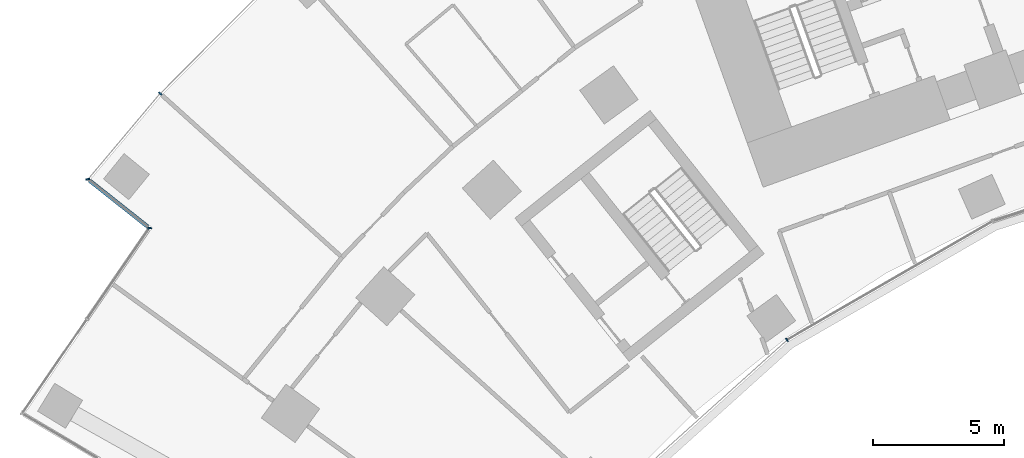
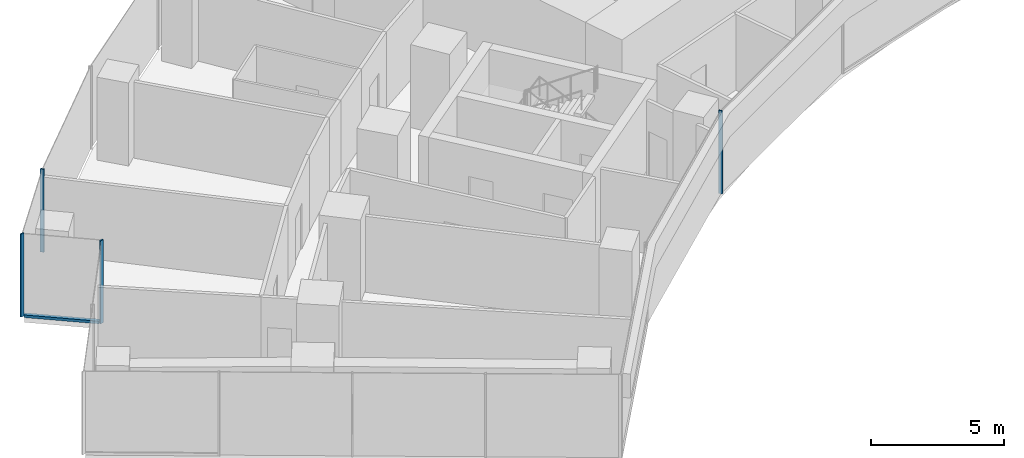
# One storey, part 3 of 21: 5 members, 4 elements without a shape of their own.
"""IFC4 building model written with IfcOpenShell, lengths in metres."""

import ifcopenshell
import ifcopenshell.guid

model = None  # the IFC model being written
_history = None  # IfcOwnerHistory: only IFC2X3 demands one
_inside = {}  # id of a spatial element -> (the spatial element, [elements in it])
_under = {}  # id of a project, library or spatial element -> (it, [spatial elements below it])
_declared = {}  # id of a project -> (the project, [libraries it declares])
_typed = {}  # id of a type object -> (the type object, [elements of that type])
_made_of = {}  # id of a material, layer set ... -> (it, [elements and type objects made of it])


def new_model(schema):
    """Start an empty IFC model of exactly this schema.

    Asked for "IFC4X3", IfcOpenShell would pick the latest addendum, in which some entities
    have other attributes; the version numbers below select the first issue.
    IFC2X3 requires an IfcOwnerHistory on every rooted entity: one is made here for all.
    """
    global model, _history
    if schema == "IFC4X3":
        model = ifcopenshell.file(schema_version=(4, 3, 0, 0))
    else:
        model = ifcopenshell.file(schema=schema)
    _inside.clear()
    _under.clear()
    _declared.clear()
    _typed.clear()
    _made_of.clear()
    _history = None
    if model.schema == "IFC2X3":
        org = make("IfcOrganization", Name="unknown")
        user = make(
            "IfcPersonAndOrganization",
            ThePerson=make("IfcPerson", FamilyName="unknown"),
            TheOrganization=org,
        )
        app = make(
            "IfcApplication",
            ApplicationDeveloper=org,
            Version="unknown",
            ApplicationFullName="unknown",
            ApplicationIdentifier="unknown",
        )
        _history = make(
            "IfcOwnerHistory",
            OwningUser=user,
            OwningApplication=app,
            ChangeAction="ADDED",
            CreationDate=0,
        )
    return model


def make(cls, **values):
    """One entity of the class cls with the attributes given. An attribute that is None is left unset."""
    return model.create_entity(
        cls, **{name: value for name, value in values.items() if value is not None}
    )


def rooted(cls, **values):
    """An entity with a GlobalId (a new one), such as an element, a storey or a relation."""
    return make(cls, GlobalId=ifcopenshell.guid.new(), OwnerHistory=_history, **values)


def si_unit(unit_type, name, prefix=None):
    """IfcSIUnit, for example si_unit("LENGTHUNIT", "METRE", prefix="MILLI")."""
    return make("IfcSIUnit", UnitType=unit_type, Prefix=prefix, Name=name)


def assignment(units):
    """IfcUnitAssignment: the units of a project."""
    return None if units is None else make("IfcUnitAssignment", Units=units)


def point(xyz):
    """IfcCartesianPoint."""
    return None if xyz is None else make("IfcCartesianPoint", Coordinates=xyz)


def direction(xyz):
    """IfcDirection."""
    return None if xyz is None else make("IfcDirection", DirectionRatios=xyz)


def frame(location, z_axis=None, x_axis=None):
    """IfcAxis2Placement3D, a coordinate frame: its origin and axes. An axis left out is left unset."""
    return make(
        "IfcAxis2Placement3D",
        Location=point(location),
        Axis=direction(z_axis),
        RefDirection=direction(x_axis),
    )


def frame_2d(location, x_axis=None):
    """IfcAxis2Placement2D, a coordinate frame in the plane: its origin and x axis."""
    return make(
        "IfcAxis2Placement2D", Location=point(location), RefDirection=direction(x_axis)
    )


def origin():
    """The frame at (0, 0, 0) with its axes left unset."""
    return frame((0.0, 0.0, 0.0))


def origin_2d():
    """The frame at (0, 0) in the plane with its x axis left unset."""
    return frame_2d((0.0, 0.0))


def place(relative_to, where):
    """IfcLocalPlacement: puts the frame where relative to a parent placement (None: the world)."""
    return make(
        "IfcLocalPlacement", PlacementRelTo=relative_to, RelativePlacement=where
    )


def context(
    kind, dimensions, precision=None, world=None, true_north=None, identifier=None
):
    """IfcGeometricRepresentationContext, for example the 3D "Model" context."""
    return make(
        "IfcGeometricRepresentationContext",
        ContextIdentifier=identifier,
        ContextType=kind,
        CoordinateSpaceDimension=dimensions,
        Precision=precision,
        WorldCoordinateSystem=world,
        TrueNorth=true_north,
    )


def subcontext(parent, identifier, kind, view, scale=None):
    """IfcGeometricRepresentationSubContext, for example "Body" below "Model"."""
    return make(
        "IfcGeometricRepresentationSubContext",
        ContextIdentifier=identifier,
        ContextType=kind,
        ParentContext=parent,
        TargetScale=scale,
        TargetView=view,
    )


def project(units=None, contexts=None):
    """IfcProject with its units and contexts."""
    return rooted(
        "IfcProject",
        Name="project",
        RepresentationContexts=contexts,
        UnitsInContext=assignment(units),
    )


def spatial(cls, under=None, at=None, **own):
    """A site, building, storey or space (cls), placed at a placement, below another one or the project."""
    s = rooted(cls, ObjectPlacement=at, **own)
    if under is not None:
        _under.setdefault(under.id(), (under, []))[1].append(s)
    return s


def profile(cls, at=None, kind="AREA", **sizes):
    """A parametric profile (cls). Its sizes go by their IFC names, for example OverallWidth=200.0."""
    return make(cls, ProfileType=kind, Position=at, **sizes)


def rectangle(**sizes):
    """IfcRectangleProfileDef."""
    return profile("IfcRectangleProfileDef", **sizes)


def extrude(swept, where, along, depth):
    """IfcExtrudedAreaSolid: the profile swept, set in the frame where, extruded along a direction by depth."""
    return make(
        "IfcExtrudedAreaSolid",
        SweptArea=swept,
        Position=where,
        ExtrudedDirection=direction(along),
        Depth=depth,
    )


def shape(context_of_items, identifier, shape_type, items):
    """IfcShapeRepresentation: the items that make up one representation, for example the "Body"."""
    return make(
        "IfcShapeRepresentation",
        ContextOfItems=context_of_items,
        RepresentationIdentifier=identifier,
        RepresentationType=shape_type,
        Items=items,
    )


def material(Name=None, Category=None):
    """IfcMaterial."""
    return make("IfcMaterial", Name=Name, Category=Category)


def layer(
    of_material, thickness, ventilated=None, Name=None, Category=None, Priority=None
):
    """IfcMaterialLayer: one layer of a wall or slab, of a material (None: an air gap)."""
    return make(
        "IfcMaterialLayer",
        Material=of_material,
        LayerThickness=thickness,
        IsVentilated=ventilated,
        Name=Name,
        Category=Category,
        Priority=Priority,
    )


def layer_set(layers, Name=None):
    """IfcMaterialLayerSet."""
    return make("IfcMaterialLayerSet", MaterialLayers=layers, LayerSetName=Name)


def material_profile(
    of_material, cross_section, Name=None, Category=None, Priority=None
):
    """IfcMaterialProfile: a cross section and its material."""
    return make(
        "IfcMaterialProfile",
        Name=Name,
        Material=of_material,
        Profile=cross_section,
        Priority=Priority,
        Category=Category,
    )


def profile_set(profiles, Name=None, composite=None):
    """IfcMaterialProfileSet."""
    return make(
        "IfcMaterialProfileSet",
        Name=Name,
        MaterialProfiles=profiles,
        CompositeProfile=composite,
    )


def made_of(thing, what):
    """Note that an element or type object is made of a material, layer set ...; save() writes the relation."""
    if what is not None:
        _made_of.setdefault(what.id(), (what, []))[1].append(thing)
    return thing


def type_object(cls, material=None, **own):
    """A type object (cls), such as IfcWallType, which elements share."""
    return made_of(rooted(cls, **own), material)


def element(
    cls,
    number,
    at=None,
    inside=None,
    cuts=None,
    type_object=None,
    material=None,
    context=None,
    identifier="Body",
    shape_type=None,
    held_by="IfcProductDefinitionShape",
    body=None,
    shapes=None,
    **own,
):
    """One element of the class cls, such as IfcWall. Its Tag is "e" and its number.

    at: its placement. inside: the storey or other place that contains it. cuts: it is an
    opening in that element (IfcRelVoidsElement). A single representation is given by context,
    identifier, shape_type and body (its items); several are given by shapes. held_by: the class
    of the entity that holds the representations. save() writes the other relations.
    """
    e = rooted(cls, Tag="e%d" % number, ObjectPlacement=at, **own)
    if body is not None:
        shapes = [shape(context, identifier, shape_type, body)]
    if shapes is not None:
        e.Representation = make(held_by, Representations=shapes)
    if inside is not None:
        _inside.setdefault(inside.id(), (inside, []))[1].append(e)
    if cuts is not None:
        rooted(
            "IfcRelVoidsElement", RelatingBuildingElement=cuts, RelatedOpeningElement=e
        )
    if type_object is not None:
        _typed.setdefault(type_object.id(), (type_object, []))[1].append(e)
    return made_of(e, material)


def aggregate(whole, parts):
    """IfcRelAggregates: a whole, such as a stair, and the parts it consists of."""
    return rooted("IfcRelAggregates", RelatingObject=whole, RelatedObjects=parts)


def save(model, path):
    """Write the relations noted so far, then the file.

    IfcRelAggregates (storeys below a building ...), IfcRelContainedInSpatialStructure (elements
    in a storey), IfcRelDefinesByType, IfcRelAssociatesMaterial and IfcRelDeclares: one each for
    every whole, place, type object, material and project.
    """
    for whole, parts in _under.values():
        aggregate(whole, parts)
    for where, things in _inside.values():
        rooted(
            "IfcRelContainedInSpatialStructure",
            RelatedElements=things,
            RelatingStructure=where,
        )
    for kind, things in _typed.values():
        rooted("IfcRelDefinesByType", RelatedObjects=things, RelatingType=kind)
    for what, things in _made_of.values():
        rooted("IfcRelAssociatesMaterial", RelatedObjects=things, RelatingMaterial=what)
    for by, libraries in _declared.values():
        rooted("IfcRelDeclares", RelatingContext=by, RelatedDefinitions=libraries)
    model.write(path)


model = new_model("IFC4")

# Units and contexts
model_context = context("Model", 3, precision=1e-05, world=origin(), true_north=direction((0.0, 1.0)))
body_context = subcontext(model_context, "Body", "Model", "MODEL_VIEW")
ifc_project = project(units=[si_unit("LENGTHUNIT", "METRE"), si_unit("AREAUNIT", "SQUARE_METRE"), si_unit("VOLUMEUNIT", "CUBIC_METRE"), si_unit("PLANEANGLEUNIT", "RADIAN"), si_unit("MASSUNIT", "GRAM", prefix="KILO")], contexts=[model_context])

# Site, building, storey
site_placement = place(None, origin())
site = spatial("IfcSite", under=ifc_project, at=site_placement, CompositionType="ELEMENT")
building_placement = place(site_placement, origin())
building = spatial("IfcBuilding", under=site, at=building_placement, Name="Stone Belt Terrace Tower", CompositionType="ELEMENT")
storey_placement = place(building_placement, frame((0.0, 0.0, 56.60009765625)))
storey = spatial("IfcBuildingStorey", under=building, at=storey_placement, Name="L13", CompositionType="ELEMENT", Elevation=56.60009765625)

# Curtain wall, member
ifc_material = material(Name="Aluminium 6063-T6 anodised frame", Category="aluminium")
ifc_layer_1 = layer(ifc_material, 0.14990234375)
ifc_layer_set_1 = layer_set([ifc_layer_1], Name="CW-A unitised convex-face curtain wall")
curtain_wall_type_1 = type_object("IfcCurtainWallType", Name="CW-A unitised convex-face curtain wall", PredefinedType="NOTDEFINED", material=ifc_layer_set_1)
curtain_wall_1_placement = place(storey_placement, origin())
curtain_wall_1 = element("IfcCurtainWall", 1, at=curtain_wall_1_placement, inside=storey, type_object=curtain_wall_type_1, Name="CW-A convex face L13", PredefinedType="NOTDEFINED")
ifc_material_profile_1 = material_profile(ifc_material, rectangle(XDim=0.14990234375, YDim=0.06005859375, at=origin_2d()), Name="Aluminium 6063-T6 60x150")
ifc_profile_set_1 = profile_set([ifc_material_profile_1], Name="Aluminium 6063-T6 anodised frame")
member_type_1 = type_object("IfcMemberType", Name="CW-A mullion 60 x 150", PredefinedType="MULLION", material=ifc_profile_set_1)
member_1_placement = place(storey_placement, frame((-49.474365234375, 44.548095703125, 0.0), z_axis=(0.0, 0.0, 1.0), x_axis=(0.73617076011, -0.676795842155, 0.0)))
member_1 = element("IfcMember", 2, at=member_1_placement, type_object=member_type_1, Name="CW-A mullion 17", PredefinedType="MULLION", context=body_context, shape_type="SweptSolid", body=[
    extrude(rectangle(XDim=0.14990234375, YDim=0.06005859375, at=origin_2d()), origin(), (0.0, 0.0, 1.0), 3.7998046875),
])
aggregate(curtain_wall_1, [member_1])

ifc_layer_2 = layer(ifc_material, 0.14990234375)
ifc_layer_set_2 = layer_set([ifc_layer_2], Name="CW-B unitised concave-face curtain wall")
curtain_wall_type_2 = type_object("IfcCurtainWallType", Name="CW-B unitised concave-face curtain wall", PredefinedType="NOTDEFINED", material=ifc_layer_set_2)
curtain_wall_2_placement = place(storey_placement, origin())
curtain_wall_2 = element("IfcCurtainWall", 3, at=curtain_wall_2_placement, inside=storey, type_object=curtain_wall_type_2, Name="CW-B concave face L13", PredefinedType="NOTDEFINED")
ifc_material_profile_2 = material_profile(ifc_material, rectangle(XDim=0.14990234375, YDim=0.050048828125, at=origin_2d()), Name="Aluminium 6063-T6 50x150")
ifc_profile_set_2 = profile_set([ifc_material_profile_2], Name="Aluminium 6063-T6 anodised frame")
member_type_2 = type_object("IfcMemberType", Name="CW-B mullion 50 x 150", PredefinedType="MULLION", material=ifc_profile_set_2)
member_2_placement = place(storey_placement, frame((-25.5244140625, 35.13134765625, 0.0), z_axis=(0.0, 0.0, 1.0), x_axis=(-0.587785252292, 0.809016994375, 0.0)))
member_2 = element("IfcMember", 4, at=member_2_placement, type_object=member_type_2, Name="CW-B mullion 3", PredefinedType="MULLION", context=body_context, shape_type="SweptSolid", body=[
    extrude(rectangle(XDim=0.14990234375, YDim=0.050048828125, at=origin_2d()), origin(), (0.0, 0.0, 1.0), 3.7998046875),
])
aggregate(curtain_wall_2, [member_2])

ifc_layer_3 = layer(ifc_material, 0.14990234375)
ifc_layer_set_3 = layer_set([ifc_layer_3], Name="CW-C stick curtain wall, horn ends and notches")
curtain_wall_type_3 = type_object("IfcCurtainWallType", Name="CW-C stick curtain wall, horn ends and notches", PredefinedType="NOTDEFINED", material=ifc_layer_set_3)
curtain_wall_3_placement = place(storey_placement, origin())
curtain_wall_3 = element("IfcCurtainWall", 5, at=curtain_wall_3_placement, inside=storey, type_object=curtain_wall_type_3, Name="CW-C notch face L13", PredefinedType="NOTDEFINED")
ifc_material_profile_3 = material_profile(ifc_material, rectangle(XDim=0.14990234375, YDim=0.06005859375, at=origin_2d()), Name="Aluminium 6063-T6 60x150")
ifc_profile_set_3 = profile_set([ifc_material_profile_3], Name="Aluminium 6063-T6 anodised frame")
member_type_3 = type_object("IfcMemberType", Name="CW-C mullion 60 x 150", PredefinedType="MULLION", material=ifc_profile_set_3)
member_3_placement = place(storey_placement, frame((-52.24072265625, 41.27294921875, 0.0), z_axis=(0.0, 0.0, 1.0), x_axis=(0.995023084308, 0.099644677203, 0.0)))
member_3 = element("IfcMember", 6, at=member_3_placement, type_object=member_type_3, Name="CW-C mullion 1", PredefinedType="MULLION", context=body_context, shape_type="SweptSolid", body=[
    extrude(rectangle(XDim=0.14990234375, YDim=0.06005859375, at=origin_2d()), origin(), (0.0, 0.0, 1.0), 3.7998046875),
])

curtain_wall_4_placement = place(storey_placement, origin())
curtain_wall_4 = element("IfcCurtainWall", 7, at=curtain_wall_4_placement, inside=storey, type_object=curtain_wall_type_3, Name="CW-C notch face L13", PredefinedType="NOTDEFINED")
member_4_placement = place(storey_placement, frame((-49.88330078125, 39.406005859375, 0.0), z_axis=(0.0, 0.0, 1.0), x_axis=(0.988851375203, 0.14890586879, 0.0)))
member_4 = element("IfcMember", 8, at=member_4_placement, type_object=member_type_3, Name="CW-C mullion 1", PredefinedType="MULLION", context=body_context, shape_type="SweptSolid", body=[
    extrude(rectangle(XDim=0.14990234375, YDim=0.06005859375, at=origin_2d()), origin(), (0.0, 0.0, 1.0), 3.7998046875),
])
aggregate(curtain_wall_4, [member_4])

# Member
ifc_material_profile_4 = material_profile(ifc_material, rectangle(XDim=0.14990234375, YDim=0.1201171875, at=origin_2d()), Name="Aluminium 6063-T6 150x120")
ifc_profile_set_4 = profile_set([ifc_material_profile_4], Name="Aluminium 6063-T6 anodised frame")
member_type_4 = type_object("IfcMemberType", Name="CW-C transom 120 x 150", PredefinedType="USERDEFINED", material=ifc_profile_set_4)
member_5_placement = place(storey_placement, frame((-52.18212890625, 41.2265625, 0.059814453125), z_axis=(0.783966177893, -0.620803537297, 0.0), x_axis=(0.620803537297, 0.783966177893, 0.0)))
member_5 = element("IfcMember", 9, at=member_5_placement, type_object=member_type_4, Name="CW-C transom 1.1", ObjectType="TRANSOM", PredefinedType="USERDEFINED", context=body_context, shape_type="SweptSolid", body=[
    extrude(rectangle(XDim=0.14990234375, YDim=0.1201171875, at=origin_2d()), origin(), (0.0, 0.0, 1.0), 2.859375),
])

aggregate(curtain_wall_3, [member_3, member_5])

save(model, "model.ifc")
